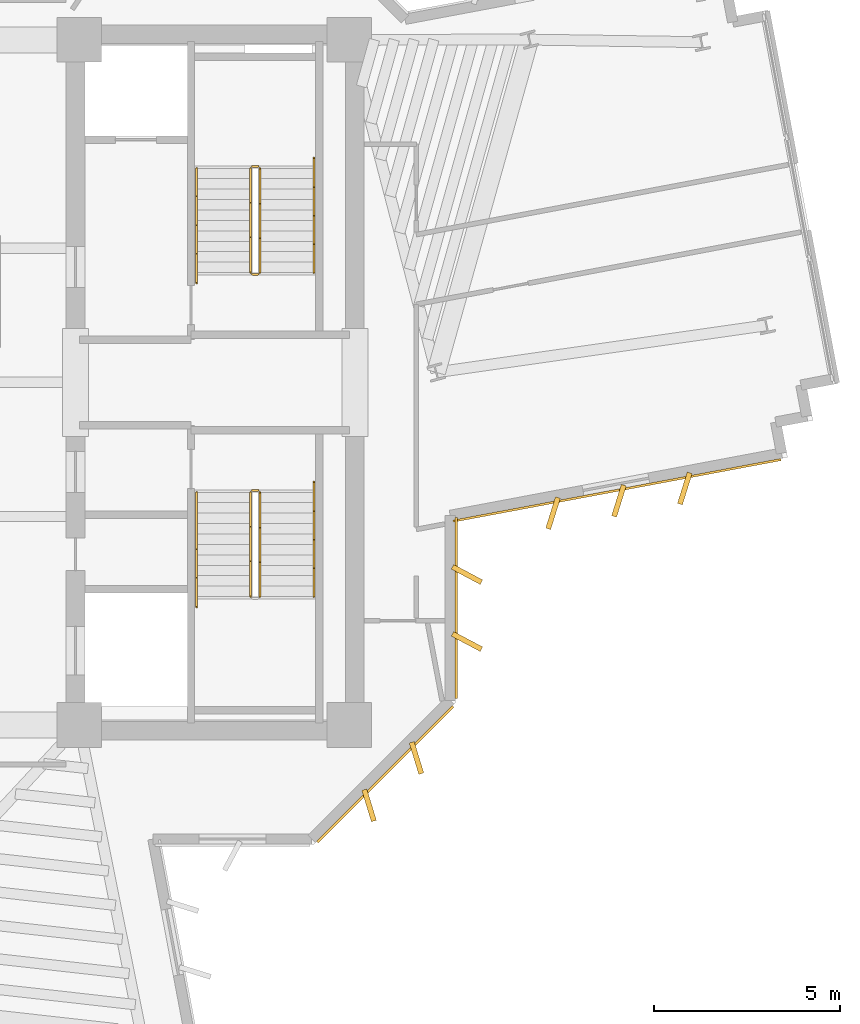
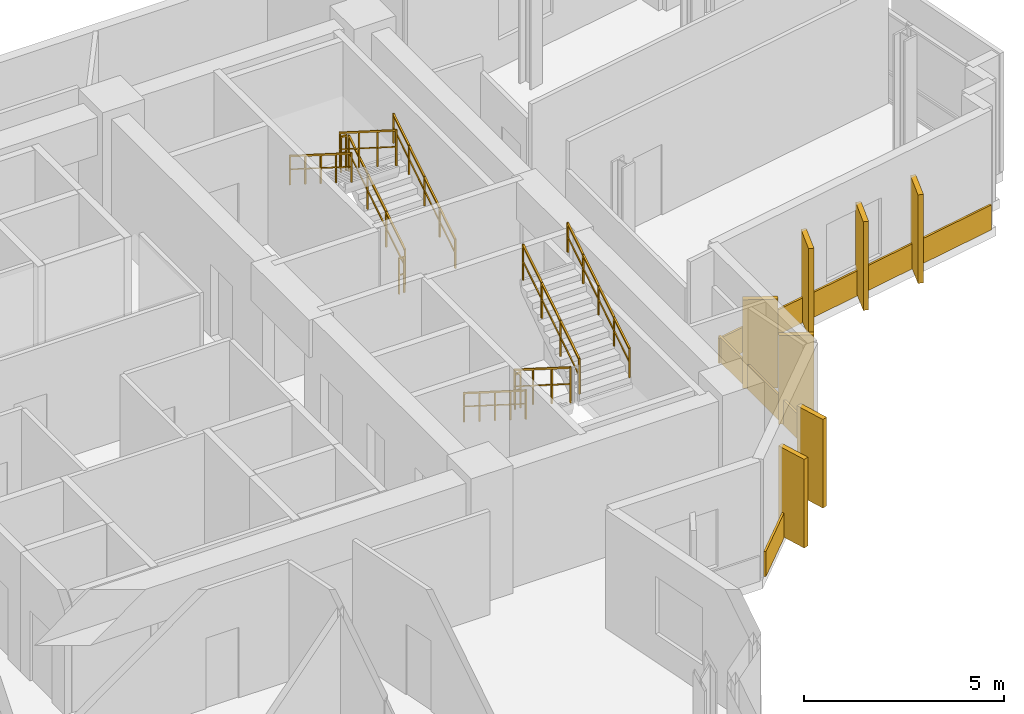
# One storey, part 15 of 16: 11 railings, 10 coverings.
"""IFC4 building model written with IfcOpenShell, lengths in metres."""

from ifc_helpers import new_model, si_unit, direction, frame, origin, origin_2d, place, context, subcontext, project, spatial, rectangle, extrude, source, transform, mapped, material, layer, layer_set, type_object, element, save


model = new_model("IFC4")

# Units and contexts
model_context = context("Model", 3, precision=1e-05, world=origin(), true_north=direction((0.0, 1.0)))
body_context = subcontext(model_context, "Body", "Model", "MODEL_VIEW")
ifc_project = project(units=[si_unit("LENGTHUNIT", "METRE"), si_unit("AREAUNIT", "SQUARE_METRE"), si_unit("VOLUMEUNIT", "CUBIC_METRE"), si_unit("PLANEANGLEUNIT", "RADIAN"), si_unit("MASSUNIT", "GRAM", prefix="KILO")], contexts=[model_context])

# Site, building, storey
site_placement = place(None, origin())
site = spatial("IfcSite", under=ifc_project, at=site_placement, CompositionType="ELEMENT")
building_placement = place(site_placement, origin())
building = spatial("IfcBuilding", under=site, at=building_placement, Name="Zahravan Cultural Tower", CompositionType="ELEMENT")
storey_placement = place(building_placement, frame((0.0, 0.0, 151.199951171875)))
storey = spatial("IfcBuildingStorey", under=building, at=storey_placement, Name="L34", CompositionType="ELEMENT", Elevation=151.199951171875)

# Railings
ifc_material_1 = material(Name="Steel ASTM A572 Grade 50", Category="steel")
railing_type_1 = type_object("IfcRailingType", Name="RL-STAIR-GRD1150", PredefinedType="BALUSTRADE", material=ifc_material_1)
railing_1_placement = place(storey_placement, frame((47.949951171875, 29.949951171875, 0.17724609375)))
element("IfcRailing", 1, at=railing_1_placement, inside=storey, type_object=railing_type_1, Name="L34 ST-E1 stair guard 1", PredefinedType="BALUSTRADE", context=body_context, shape_type="SweptSolid", body=[
    extrude(rectangle(XDim=0.05, YDim=0.05, at=origin_2d()), frame((0.0, 0.0, 1.0751953125), z_axis=(0.0, 0.844908973607, 0.534910110503), x_axis=(-1.0, 0.0, 0.0)), (0.0, 0.0, 1.0), 3.31396484375),
    extrude(rectangle(XDim=0.032, YDim=0.032, at=origin_2d()), frame((0.0, 0.0, 0.572021484375), z_axis=(0.0, 0.844908973607, 0.534910110503), x_axis=(-1.0, 0.0, 0.0)), (0.0, 0.0, 1.0), 3.31396484375),
    extrude(rectangle(XDim=0.04, YDim=0.04, at=origin_2d()), origin(), (0.0, 0.0, 1.0), 1.10009765625),
    extrude(rectangle(XDim=0.04, YDim=0.04, at=origin_2d()), frame((0.0, 0.933349609375, 0.5908203125)), (0.0, 0.0, 1.0), 1.10009765625),
    extrude(rectangle(XDim=0.04, YDim=0.04, at=origin_2d()), frame((0.0, 1.86669921875, 1.181884765625)), (0.0, 0.0, 1.0), 1.10009765625),
    extrude(rectangle(XDim=0.04, YDim=0.04, at=origin_2d()), frame((0.0, 2.800048828125, 1.772705078125)), (0.0, 0.0, 1.0), 1.10009765625),
])
railing_2_placement = place(storey_placement, frame((47.89990234375, 32.800048828125, 1.949951171875)))
element("IfcRailing", 2, at=railing_2_placement, inside=storey, type_object=railing_type_1, Name="L34 ST-E1 stair guard 2", PredefinedType="BALUSTRADE", context=body_context, shape_type="SweptSolid", body=[
    extrude(rectangle(XDim=0.05, YDim=0.05, at=origin_2d()), frame((0.0, 0.0, 1.0751953125), z_axis=(-1.0, 0.0, 0.0), x_axis=(0.0, -1.0, 0.0)), (0.0, 0.0, 1.0), 0.14990234375),
    extrude(rectangle(XDim=0.032, YDim=0.032, at=origin_2d()), frame((0.0, 0.0, 0.572021484375), z_axis=(-1.0, 0.0, 0.0), x_axis=(0.0, -1.0, 0.0)), (0.0, 0.0, 1.0), 0.14990234375),
    extrude(rectangle(XDim=0.04, YDim=0.04, at=origin_2d()), origin(), (0.0, 0.0, 1.0), 1.10009765625),
    extrude(rectangle(XDim=0.04, YDim=0.04, at=origin_2d()), frame((-0.14990234375, 0.0, 0.0)), (0.0, 0.0, 1.0), 1.10009765625),
])
railing_3_placement = place(storey_placement, frame((47.699951171875, 32.75, 2.12744140625)))
element("IfcRailing", 3, at=railing_3_placement, inside=storey, type_object=railing_type_1, Name="L34 ST-E1 stair guard 3", PredefinedType="BALUSTRADE", context=body_context, shape_type="SweptSolid", body=[
    extrude(rectangle(XDim=0.05, YDim=0.05, at=origin_2d()), frame((0.0, 0.0, 1.0751953125), z_axis=(0.0, -0.844908973607, 0.534910110503), x_axis=(1.0, 0.0, 0.0)), (0.0, 0.0, 1.0), 3.31396484375),
    extrude(rectangle(XDim=0.032, YDim=0.032, at=origin_2d()), frame((0.0, 0.0, 0.572021484375), z_axis=(0.0, -0.844908973607, 0.534910110503), x_axis=(1.0, 0.0, 0.0)), (0.0, 0.0, 1.0), 3.31396484375),
    extrude(rectangle(XDim=0.04, YDim=0.04, at=origin_2d()), origin(), (0.0, 0.0, 1.0), 1.10009765625),
    extrude(rectangle(XDim=0.04, YDim=0.04, at=origin_2d()), frame((0.0, -0.933349609375, 0.5908203125)), (0.0, 0.0, 1.0), 1.10009765625),
    extrude(rectangle(XDim=0.04, YDim=0.04, at=origin_2d()), frame((0.0, -1.86669921875, 1.181884765625)), (0.0, 0.0, 1.0), 1.10009765625),
    extrude(rectangle(XDim=0.04, YDim=0.04, at=origin_2d()), frame((0.0, -2.800048828125, 1.772705078125)), (0.0, 0.0, 1.0), 1.10009765625),
])
railing_4_placement = place(storey_placement, frame((47.89990234375, 29.89990234375, 0.0)))
element("IfcRailing", 4, at=railing_4_placement, inside=storey, type_object=railing_type_1, Name="L34 ST-E1 stair guard 4", PredefinedType="BALUSTRADE", context=body_context, shape_type="SweptSolid", body=[
    extrude(rectangle(XDim=0.05, YDim=0.05, at=origin_2d()), frame((0.0, 0.0, 1.0751953125), z_axis=(-1.0, 0.0, 0.0), x_axis=(0.0, -1.0, 0.0)), (0.0, 0.0, 1.0), 0.14990234375),
    extrude(rectangle(XDim=0.032, YDim=0.032, at=origin_2d()), frame((0.0, 0.0, 0.572021484375), z_axis=(-1.0, 0.0, 0.0), x_axis=(0.0, -1.0, 0.0)), (0.0, 0.0, 1.0), 0.14990234375),
    extrude(rectangle(XDim=0.04, YDim=0.04, at=origin_2d()), origin(), (0.0, 0.0, 1.0), 1.10009765625),
    extrude(rectangle(XDim=0.04, YDim=0.04, at=origin_2d()), frame((-0.14990234375, 0.0, 0.0)), (0.0, 0.0, 1.0), 1.10009765625),
])
railing_5_placement = place(storey_placement, frame((47.699951171875, 24.050048828125, 0.17724609375)))
element("IfcRailing", 5, at=railing_5_placement, inside=storey, type_object=railing_type_1, Name="L34 ST-E2 stair guard 1", PredefinedType="BALUSTRADE", context=body_context, shape_type="SweptSolid", body=[
    extrude(rectangle(XDim=0.05, YDim=0.05, at=origin_2d()), frame((0.0, 0.0, 1.0751953125), z_axis=(0.0, -0.844908973607, 0.534910110503), x_axis=(1.0, 0.0, 0.0)), (0.0, 0.0, 1.0), 3.31396484375),
    extrude(rectangle(XDim=0.032, YDim=0.032, at=origin_2d()), frame((0.0, 0.0, 0.572021484375), z_axis=(0.0, -0.844908973607, 0.534910110503), x_axis=(1.0, 0.0, 0.0)), (0.0, 0.0, 1.0), 3.31396484375),
    extrude(rectangle(XDim=0.04, YDim=0.04, at=origin_2d()), origin(), (0.0, 0.0, 1.0), 1.10009765625),
    extrude(rectangle(XDim=0.04, YDim=0.04, at=origin_2d()), frame((0.0, -0.933349609375, 0.5908203125)), (0.0, 0.0, 1.0), 1.10009765625),
    extrude(rectangle(XDim=0.04, YDim=0.04, at=origin_2d()), frame((0.0, -1.86669921875, 1.181884765625)), (0.0, 0.0, 1.0), 1.10009765625),
    extrude(rectangle(XDim=0.04, YDim=0.04, at=origin_2d()), frame((0.0, -2.800048828125, 1.772705078125)), (0.0, 0.0, 1.0), 1.10009765625),
])
railing_6_placement = place(storey_placement, frame((47.949951171875, 21.25, 2.12744140625)))
element("IfcRailing", 6, at=railing_6_placement, inside=storey, type_object=railing_type_1, Name="L34 ST-E2 stair guard 3", PredefinedType="BALUSTRADE", context=body_context, shape_type="SweptSolid", body=[
    extrude(rectangle(XDim=0.05, YDim=0.05, at=origin_2d()), frame((0.0, 0.0, 1.0751953125), z_axis=(0.0, 0.844908973607, 0.534910110503), x_axis=(-1.0, 0.0, 0.0)), (0.0, 0.0, 1.0), 3.31396484375),
    extrude(rectangle(XDim=0.032, YDim=0.032, at=origin_2d()), frame((0.0, 0.0, 0.572021484375), z_axis=(0.0, 0.844908973607, 0.534910110503), x_axis=(-1.0, 0.0, 0.0)), (0.0, 0.0, 1.0), 3.31396484375),
    extrude(rectangle(XDim=0.04, YDim=0.04, at=origin_2d()), origin(), (0.0, 0.0, 1.0), 1.10009765625),
    extrude(rectangle(XDim=0.04, YDim=0.04, at=origin_2d()), frame((0.0, 0.933349609375, 0.5908203125)), (0.0, 0.0, 1.0), 1.10009765625),
    extrude(rectangle(XDim=0.04, YDim=0.04, at=origin_2d()), frame((0.0, 1.86669921875, 1.181884765625)), (0.0, 0.0, 1.0), 1.10009765625),
    extrude(rectangle(XDim=0.04, YDim=0.04, at=origin_2d()), frame((0.0, 2.800048828125, 1.772705078125)), (0.0, 0.0, 1.0), 1.10009765625),
])
railing_7_placement = place(storey_placement, frame((47.75, 24.10009765625, 0.0)))
element("IfcRailing", 7, at=railing_7_placement, inside=storey, type_object=railing_type_1, Name="L34 ST-E2 stair guard 4", PredefinedType="BALUSTRADE", context=body_context, shape_type="SweptSolid", body=[
    extrude(rectangle(XDim=0.05, YDim=0.05, at=origin_2d()), frame((0.0, 0.0, 1.0751953125), z_axis=(1.0, 0.0, 0.0), x_axis=(0.0, 1.0, 0.0)), (0.0, 0.0, 1.0), 0.14990234375),
    extrude(rectangle(XDim=0.032, YDim=0.032, at=origin_2d()), frame((0.0, 0.0, 0.572021484375), z_axis=(1.0, 0.0, 0.0), x_axis=(0.0, 1.0, 0.0)), (0.0, 0.0, 1.0), 0.14990234375),
    extrude(rectangle(XDim=0.04, YDim=0.04, at=origin_2d()), origin(), (0.0, 0.0, 1.0), 1.10009765625),
    extrude(rectangle(XDim=0.04, YDim=0.04, at=origin_2d()), frame((0.14990234375, 0.0, 0.0)), (0.0, 0.0, 1.0), 1.10009765625),
])
railing_type_2 = type_object("IfcRailingType", Name="RL-STAIR-HR900", PredefinedType="HANDRAIL", material=ifc_material_1)
railing_8_placement = place(storey_placement, frame((49.39990234375, 29.949951171875, 0.17724609375)))
element("IfcRailing", 8, at=railing_8_placement, inside=storey, type_object=railing_type_2, Name="L34 ST-E1 stair handrail 1", PredefinedType="HANDRAIL", context=body_context, shape_type="SweptSolid", body=[
    extrude(rectangle(XDim=0.05, YDim=0.05, at=origin_2d()), frame((0.0, 0.0, 0.875), z_axis=(0.0, 0.844883648757, 0.534950109882), x_axis=(-1.0, 0.0, 0.0)), (0.0, 0.0, 1.0), 3.6455078125),
    extrude(rectangle(XDim=0.032, YDim=0.032, at=origin_2d()), frame((0.0, 0.0, 0.468017578125), z_axis=(0.0, 0.844883648757, 0.534950109882), x_axis=(-1.0, 0.0, 0.0)), (0.0, 0.0, 1.0), 3.6455078125),
    extrude(rectangle(XDim=0.04, YDim=0.04, at=origin_2d()), origin(), (0.0, 0.0, 1.0), 0.89990234375),
    extrude(rectangle(XDim=0.04, YDim=0.04, at=origin_2d()), frame((0.0, 0.77001953125, 0.487548828125)), (0.0, 0.0, 1.0), 0.89990234375),
    extrude(rectangle(XDim=0.04, YDim=0.04, at=origin_2d()), frame((0.0, 1.5400390625, 0.97509765625)), (0.0, 0.0, 1.0), 0.89990234375),
    extrude(rectangle(XDim=0.04, YDim=0.04, at=origin_2d()), frame((0.0, 2.31005859375, 1.462646484375)), (0.0, 0.0, 1.0), 0.89990234375),
    extrude(rectangle(XDim=0.04, YDim=0.04, at=origin_2d()), frame((0.0, 3.080078125, 1.9501953125)), (0.0, 0.0, 1.0), 0.89990234375),
])
railing_9_placement = place(storey_placement, frame((46.25, 32.75, 2.12744140625)))
element("IfcRailing", 9, at=railing_9_placement, inside=storey, type_object=railing_type_2, Name="L34 ST-E1 stair handrail 2", PredefinedType="HANDRAIL", context=body_context, shape_type="SweptSolid", body=[
    extrude(rectangle(XDim=0.05, YDim=0.05, at=origin_2d()), frame((0.0, 0.0, 0.875), z_axis=(0.0, -0.844913916606, 0.534902302785), x_axis=(1.0, 0.0, 0.0)), (0.0, 0.0, 1.0), 3.6455078125),
    extrude(rectangle(XDim=0.032, YDim=0.032, at=origin_2d()), frame((0.0, 0.0, 0.468017578125), z_axis=(0.0, -0.844913916606, 0.534902302785), x_axis=(1.0, 0.0, 0.0)), (0.0, 0.0, 1.0), 3.6455078125),
    extrude(rectangle(XDim=0.04, YDim=0.04, at=origin_2d()), origin(), (0.0, 0.0, 1.0), 0.89990234375),
    extrude(rectangle(XDim=0.04, YDim=0.04, at=origin_2d()), frame((0.0, -0.77001953125, 0.487548828125)), (0.0, 0.0, 1.0), 0.89990234375),
    extrude(rectangle(XDim=0.04, YDim=0.04, at=origin_2d()), frame((0.0, -1.5400390625, 0.97509765625)), (0.0, 0.0, 1.0), 0.89990234375),
    extrude(rectangle(XDim=0.04, YDim=0.04, at=origin_2d()), frame((0.0, -2.31005859375, 1.46240234375)), (0.0, 0.0, 1.0), 0.89990234375),
    extrude(rectangle(XDim=0.04, YDim=0.04, at=origin_2d()), frame((0.0, -3.080078125, 1.949951171875)), (0.0, 0.0, 1.0), 0.89990234375),
])
railing_10_placement = place(storey_placement, frame((46.25, 24.050048828125, 0.17724609375)))
element("IfcRailing", 10, at=railing_10_placement, inside=storey, type_object=railing_type_2, Name="L34 ST-E2 stair handrail 1", PredefinedType="HANDRAIL", context=body_context, shape_type="SweptSolid", body=[
    extrude(rectangle(XDim=0.05, YDim=0.05, at=origin_2d()), frame((0.0, 0.0, 0.875), z_axis=(0.0, -0.844883648757, 0.534950109882), x_axis=(1.0, 0.0, 0.0)), (0.0, 0.0, 1.0), 3.6455078125),
    extrude(rectangle(XDim=0.032, YDim=0.032, at=origin_2d()), frame((0.0, 0.0, 0.468017578125), z_axis=(0.0, -0.844883648757, 0.534950109882), x_axis=(1.0, 0.0, 0.0)), (0.0, 0.0, 1.0), 3.6455078125),
    extrude(rectangle(XDim=0.04, YDim=0.04, at=origin_2d()), origin(), (0.0, 0.0, 1.0), 0.89990234375),
    extrude(rectangle(XDim=0.04, YDim=0.04, at=origin_2d()), frame((0.0, -0.77001953125, 0.487548828125)), (0.0, 0.0, 1.0), 0.89990234375),
    extrude(rectangle(XDim=0.04, YDim=0.04, at=origin_2d()), frame((0.0, -1.5400390625, 0.97509765625)), (0.0, 0.0, 1.0), 0.89990234375),
    extrude(rectangle(XDim=0.04, YDim=0.04, at=origin_2d()), frame((0.0, -2.31005859375, 1.462646484375)), (0.0, 0.0, 1.0), 0.89990234375),
    extrude(rectangle(XDim=0.04, YDim=0.04, at=origin_2d()), frame((0.0, -3.080078125, 1.9501953125)), (0.0, 0.0, 1.0), 0.89990234375),
])
railing_11_placement = place(storey_placement, frame((49.39990234375, 21.25, 2.12744140625)))
element("IfcRailing", 11, at=railing_11_placement, inside=storey, type_object=railing_type_2, Name="L34 ST-E2 stair handrail 2", PredefinedType="HANDRAIL", context=body_context, shape_type="SweptSolid", body=[
    extrude(rectangle(XDim=0.05, YDim=0.05, at=origin_2d()), frame((0.0, 0.0, 0.875), z_axis=(0.0, 0.844913916606, 0.534902302785), x_axis=(-1.0, 0.0, 0.0)), (0.0, 0.0, 1.0), 3.6455078125),
    extrude(rectangle(XDim=0.032, YDim=0.032, at=origin_2d()), frame((0.0, 0.0, 0.468017578125), z_axis=(0.0, 0.844913916606, 0.534902302785), x_axis=(-1.0, 0.0, 0.0)), (0.0, 0.0, 1.0), 3.6455078125),
    extrude(rectangle(XDim=0.04, YDim=0.04, at=origin_2d()), origin(), (0.0, 0.0, 1.0), 0.89990234375),
    extrude(rectangle(XDim=0.04, YDim=0.04, at=origin_2d()), frame((0.0, 0.77001953125, 0.487548828125)), (0.0, 0.0, 1.0), 0.89990234375),
    extrude(rectangle(XDim=0.04, YDim=0.04, at=origin_2d()), frame((0.0, 1.5400390625, 0.97509765625)), (0.0, 0.0, 1.0), 0.89990234375),
    extrude(rectangle(XDim=0.04, YDim=0.04, at=origin_2d()), frame((0.0, 2.31005859375, 1.46240234375)), (0.0, 0.0, 1.0), 0.89990234375),
    extrude(rectangle(XDim=0.04, YDim=0.04, at=origin_2d()), frame((0.0, 3.080078125, 1.949951171875)), (0.0, 0.0, 1.0), 0.89990234375),
])

# Coverings
ifc_material_2 = material(Name="Terracotta ceramic cladding", Category="masonry")
ifc_layer = layer(ifc_material_2, 0.06005859375)
ifc_layer_set = layer_set([ifc_layer], Name="Terracotta ceramic cladding")
covering_type = type_object("IfcCoveringType", Name="COV-CLAD-TC60", PredefinedType="CLADDING", material=ifc_layer_set)
shared_shape_1 = source(origin(), body_context, "Body", "SweptSolid", [
    extrude(rectangle(XDim=5.157958984375, YDim=0.06005859375, at=origin_2d()), origin(), (0.0, 0.0, 1.0), 0.760009765625),
])
covering_1_placement = place(storey_placement, frame((51.317626953125, 16.482421875, 0.02001953125), z_axis=(0.0, 0.0, 1.0), x_axis=(-0.707106781187, -0.707106781187, 0.0)))
element("IfcCovering", 12, at=covering_1_placement, inside=storey, type_object=covering_type, Name="L34 Terracotta Spandrel Cladding 12", PredefinedType="CLADDING", context=body_context, shape_type="MappedRepresentation", body=[
    mapped(shared_shape_1, transform((0.0, 0.0, 0.0), x_axis=(1.0, 0.0, 0.0), y_axis=(0.0, 1.0, 0.0), z_axis=(0.0, 0.0, 1.0), scale=1.0)),
])
shared_shape_2 = source(origin(), body_context, "Body", "SweptSolid", [
    extrude(rectangle(XDim=0.8798828125, YDim=0.139892578125, at=origin_2d()), origin(), (0.0, 0.0, 1.0), 2.699951171875),
])
for number, where, z_axis, x_axis, name in (
    (13, (59.360595703125, 24.154296875, 0.05029296875), (0.0, 0.0, 1.0), (-0.298374534012, -0.954448865814, 0.0), "L34 Herringbone Terracotta Fin 04"),
    (14, (57.591552734375, 23.822021484375, 0.05029296875), (0.0, 0.0, 1.0), (-0.298374534012, -0.954448865814, 0.0), "L34 Herringbone Terracotta Fin 05"),
    (15, (55.822509765625, 23.489501953125, 0.05029296875), (0.0, 0.0, 1.0), (-0.298374534012, -0.954448865814, 0.0), "L34 Herringbone Terracotta Fin 06"),
    (16, (53.510009765625, 21.84326171875, 0.05029296875), (0.0, 0.0, 1.0), (0.882947592859, -0.469471562786, 0.0), "L34 Herringbone Terracotta Fin 07"),
    (17, (53.510009765625, 20.043212890625, 0.05029296875), (0.0, 0.0, 1.0), (0.882947592859, -0.469471562786, 0.0), "L34 Herringbone Terracotta Fin 08"),
    (18, (52.155517578125, 16.917236328125, 0.05029296875), (0.0, 0.0, 1.0), (0.292371704723, -0.956304755963, 0.0), "L34 Herringbone Terracotta Fin 09"),
    (19, (50.8828125, 15.644287109375, 0.05029296875), (0.0, 0.0, 1.0), (0.292371704723, -0.956304755963, 0.0), "L34 Herringbone Terracotta Fin 10"),
):
    element("IfcCovering", number, at=place(storey_placement, frame(where, z_axis=z_axis, x_axis=x_axis)), inside=storey, type_object=covering_type, Name=name, PredefinedType="CLADDING", context=body_context, shape_type="MappedRepresentation", body=[
        mapped(shared_shape_2, transform((0.0, 0.0, 0.0), x_axis=(1.0, 0.0, 0.0), y_axis=(0.0, 1.0, 0.0), z_axis=(0.0, 0.0, 1.0), scale=1.0)),
    ])
shared_shape_3 = source(origin(), body_context, "Body", "SweptSolid", [
    extrude(rectangle(XDim=8.952880859375, YDim=0.06005859375, at=origin_2d()), origin(), (0.0, 0.0, 1.0), 0.760009765625),
])
covering_2_placement = place(storey_placement, frame((57.5390625, 24.10205078125, 0.02001953125), z_axis=(0.0, 0.0, 1.0), x_axis=(-0.982806687355, -0.184637524056, 0.0)))
element("IfcCovering", 20, at=covering_2_placement, inside=storey, type_object=covering_type, Name="L34 Terracotta Spandrel Cladding 10", PredefinedType="CLADDING", context=body_context, shape_type="MappedRepresentation", body=[
    mapped(shared_shape_3, transform((0.0, 0.0, 0.0), x_axis=(1.0, 0.0, 0.0), y_axis=(0.0, 1.0, 0.0), z_axis=(0.0, 0.0, 1.0), scale=1.0)),
])
shared_shape_4 = source(origin(), body_context, "Body", "SweptSolid", [
    extrude(rectangle(XDim=4.870361328125, YDim=0.06005859375, at=origin_2d()), origin(), (0.0, 0.0, 1.0), 0.760009765625),
])
covering_3_placement = place(storey_placement, frame((53.22509765625, 20.943115234375, 0.02001953125), z_axis=(0.0, 0.0, 1.0), x_axis=(0.0, -1.0, 0.0)))
element("IfcCovering", 21, at=covering_3_placement, inside=storey, type_object=covering_type, Name="L34 Terracotta Spandrel Cladding 11", PredefinedType="CLADDING", context=body_context, shape_type="MappedRepresentation", body=[
    mapped(shared_shape_4, transform((0.0, 0.0, 0.0), x_axis=(1.0, 0.0, 0.0), y_axis=(0.0, 1.0, 0.0), z_axis=(0.0, 0.0, 1.0), scale=1.0)),
])

save(model, "model.ifc")
